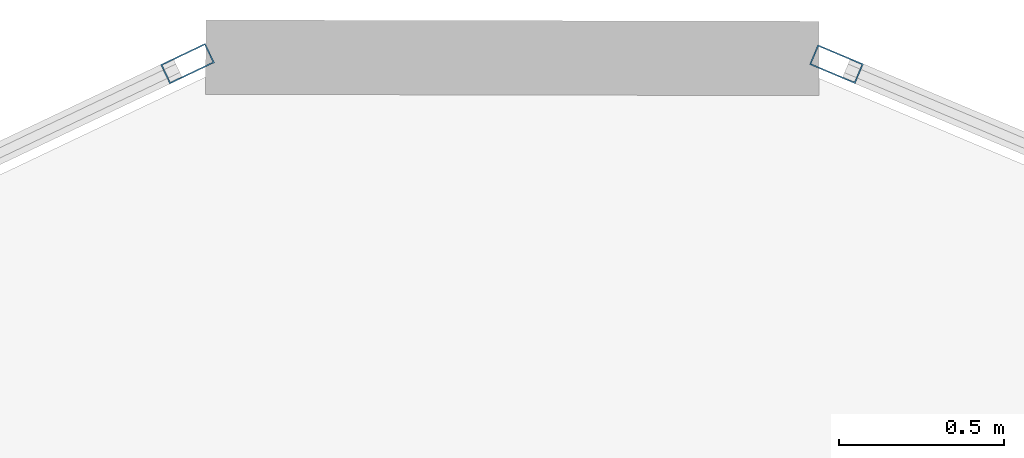
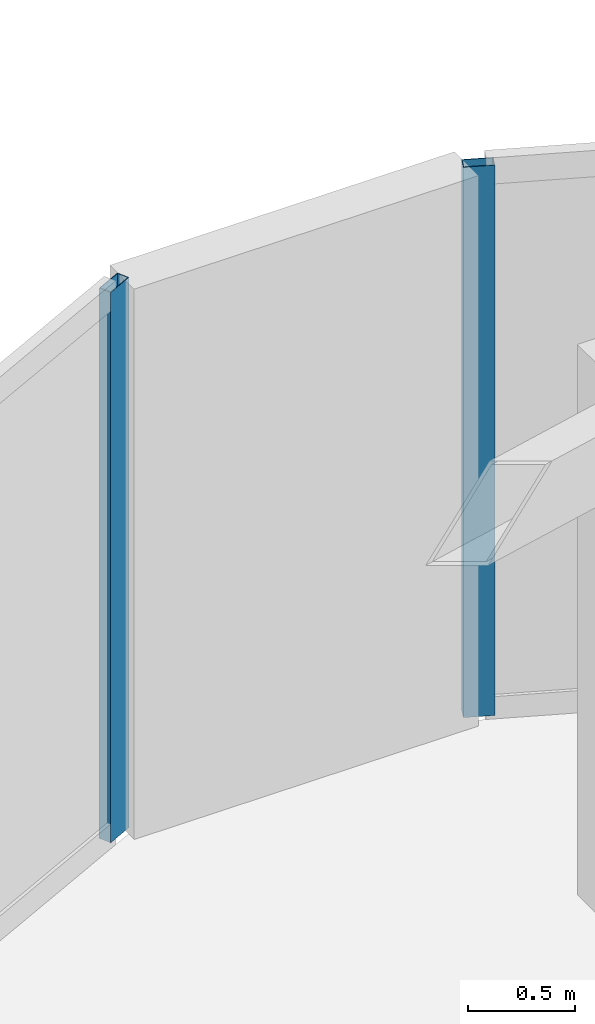
# One storey, part 15 of 20: 2 members, 2 elements without a shape of their own.
"""IFC4 building model written with IfcOpenShell, lengths in metres."""

from ifc_helpers import new_model, si_unit, direction, frame, origin, origin_2d, place, context, subcontext, project, spatial, hollow_rectangle, extrude, source, transform, mapped, material, layer, layer_set, material_profile, profile_set, type_object, type_shapes, element, aggregate, save


model = new_model("IFC4")

# Units and contexts
model_context = context("Model", 3, precision=1e-05, world=origin(), true_north=direction((0.0, 1.0)))
body_context = subcontext(model_context, "Body", "Model", "MODEL_VIEW")
ifc_project = project(units=[si_unit("LENGTHUNIT", "METRE"), si_unit("AREAUNIT", "SQUARE_METRE"), si_unit("VOLUMEUNIT", "CUBIC_METRE"), si_unit("PLANEANGLEUNIT", "RADIAN"), si_unit("MASSUNIT", "GRAM", prefix="KILO")], contexts=[model_context])

# Site, building, storey
site_placement = place(None, origin())
site = spatial("IfcSite", under=ifc_project, at=site_placement, CompositionType="ELEMENT")
building_placement = place(site_placement, origin())
building = spatial("IfcBuilding", under=site, at=building_placement, Name="Talar Marvaseh", CompositionType="ELEMENT")
storey_placement = place(building_placement, frame((0.0, 0.0, 268.0)))
storey = spatial("IfcBuildingStorey", under=building, at=storey_placement, Name="L71", CompositionType="ELEMENT", Elevation=268.0)

# Curtain wall, member
ifc_material = material(Name="Architectural Aluminium", Category="aluminium")
ifc_layer = layer(ifc_material, 0.179931640625)
ifc_layer_set = layer_set([ifc_layer], Name="Architectural Aluminium")
curtain_wall_type = type_object("IfcCurtainWallType", Name="Unitised High-Wind Sky Curtain Wall Z4", PredefinedType="NOTDEFINED", material=ifc_layer_set)
curtain_wall_1_placement = place(storey_placement, origin())
curtain_wall_1 = element("IfcCurtainWall", 1, at=curtain_wall_1_placement, inside=storey, type_object=curtain_wall_type, Name="L71 Unitised High-Wind Sky Curtain Wall Z4", PredefinedType="NOTDEFINED")
ifc_material_profile = material_profile(ifc_material, hollow_rectangle(XDim=0.06494140625, YDim=0.14990234375, WallThickness=0.00390625, at=origin_2d()), Name="RHS150x65x4")
ifc_profile_set = profile_set([ifc_material_profile], Name="Architectural Aluminium")
member_type = type_object("IfcMemberType", Name="Unitised Curtain Wall Slim Mullion RHS150x65x4", PredefinedType="MULLION", material=ifc_profile_set)
shared_shape = source(origin(), body_context, "Body", "SweptSolid", [
    extrude(hollow_rectangle(XDim=0.06494140625, YDim=0.14990234375, WallThickness=0.00390625, at=origin_2d()), origin(), (0.0, 0.0, 1.0), 3.139892578125),
])
type_shapes(member_type, [shared_shape])
member_1_placement = place(storey_placement, frame((27.139404296875, 42.995849609375, 0.0), z_axis=(0.0, 0.0, 1.0), x_axis=(-0.42943963378, 0.903095565784, 0.0)))
member_1 = element("IfcMember", 2, at=member_1_placement, type_object=member_type, Name="CW-Z4 mullion 4", PredefinedType="MULLION", context=body_context, shape_type="MappedRepresentation", body=[
    mapped(shared_shape, transform((0.0, 0.0, 0.0), x_axis=(1.0, 0.0, 0.0), y_axis=(0.0, 1.0, 0.0), z_axis=(0.0, 0.0, 1.0), scale=1.0)),
])
aggregate(curtain_wall_1, [member_1])

curtain_wall_2_placement = place(storey_placement, origin())
curtain_wall_2 = element("IfcCurtainWall", 3, at=curtain_wall_2_placement, inside=storey, type_object=curtain_wall_type, Name="L71 Unitised High-Wind Sky Curtain Wall Z4", PredefinedType="NOTDEFINED")
member_2_placement = place(storey_placement, frame((29.104248046875, 42.994140625, 0.0), z_axis=(0.0, 0.0, 1.0), x_axis=(0.388258310498, 0.921550586962, 0.0)))
member_2 = element("IfcMember", 4, at=member_2_placement, type_object=member_type, Name="CW-Z4 mullion 1", PredefinedType="MULLION", context=body_context, shape_type="MappedRepresentation", body=[
    mapped(shared_shape, transform((0.0, 0.0, 0.0), x_axis=(1.0, 0.0, 0.0), y_axis=(0.0, 1.0, 0.0), z_axis=(0.0, 0.0, 1.0), scale=1.0)),
])
aggregate(curtain_wall_2, [member_2])

save(model, "model.ifc")
